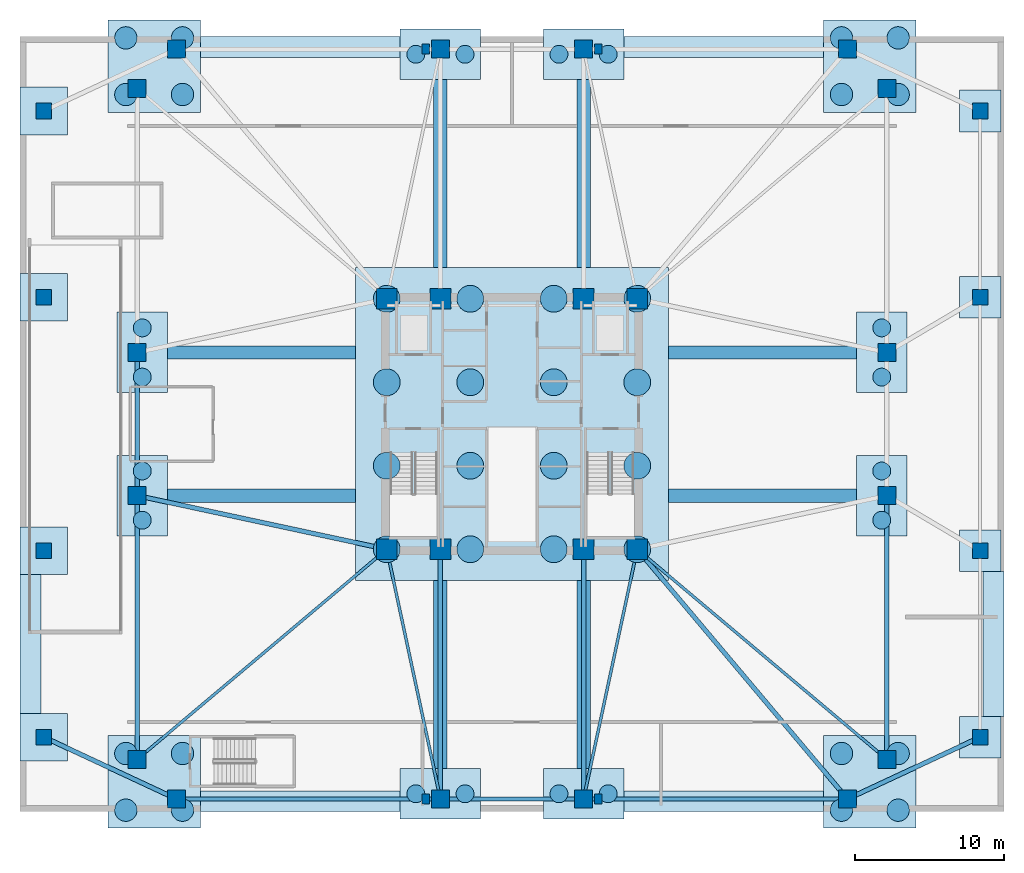
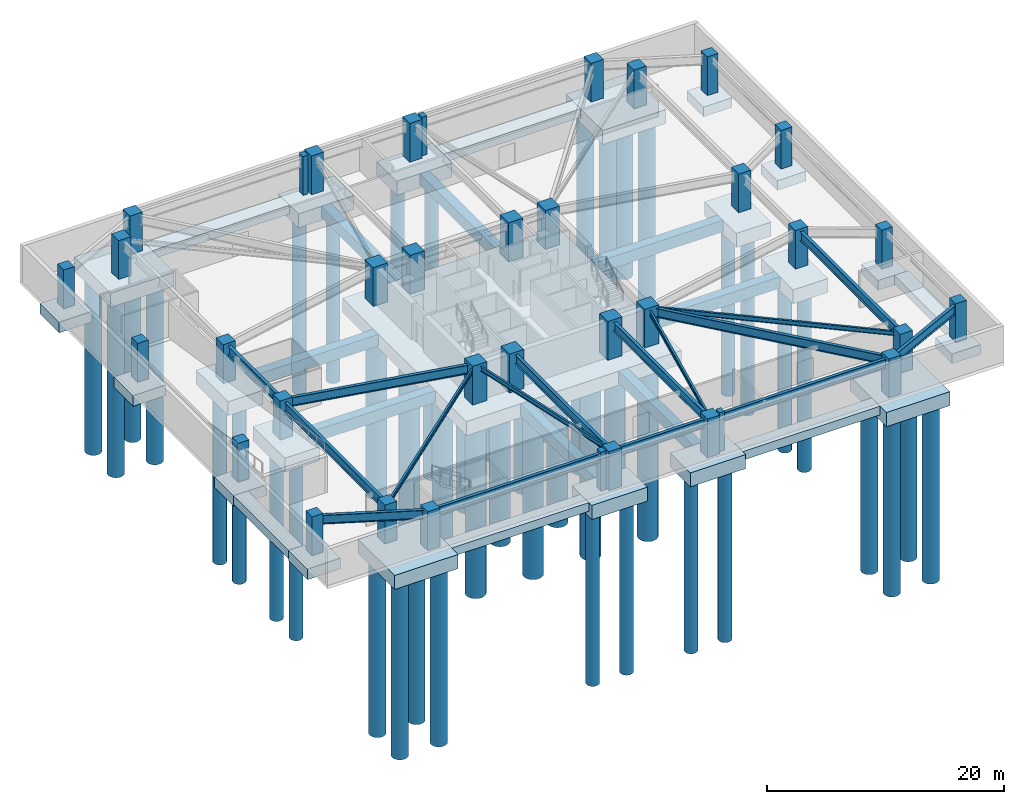
# One storey, part 1 of 10: 48 piles, 36 columns, 35 footings, 16 beams.
"""IFC4 building model written with IfcOpenShell, lengths in metres."""

from ifc_helpers import new_model, si_unit, direction, frame, origin, origin_2d, place, context, subcontext, project, spatial, rectangle, circle, i_section, extrude, material, layer, layer_set, material_profile, profile_set, type_object, element, save


model = new_model("IFC4")

# Units and contexts
model_context = context("Model", 3, precision=1e-05, world=origin(), true_north=direction((0.0, 1.0)))
body_context = subcontext(model_context, "Body", "Model", "MODEL_VIEW")
ifc_project = project(units=[si_unit("LENGTHUNIT", "METRE"), si_unit("AREAUNIT", "SQUARE_METRE"), si_unit("VOLUMEUNIT", "CUBIC_METRE"), si_unit("PLANEANGLEUNIT", "RADIAN"), si_unit("MASSUNIT", "GRAM", prefix="KILO")], contexts=[model_context])

# Site, building, storey
site_placement = place(None, origin())
site = spatial("IfcSite", under=ifc_project, at=site_placement, CompositionType="ELEMENT")
building_placement = place(site_placement, origin())
building = spatial("IfcBuilding", under=site, at=building_placement, Name="Cairnveth Concourse Tower", CompositionType="ELEMENT")
storey_placement = place(building_placement, frame((0.0, 0.0, -8.0)))
storey = spatial("IfcBuildingStorey", under=building, at=storey_placement, Name="B02", CompositionType="ELEMENT", Elevation=-8.0)

# Piles
ifc_material_1 = material(Name="Concrete N50 (50 MPa)", Category="concrete")
ifc_material_profile_1 = material_profile(ifc_material_1, circle(Radius=0.60009765625, at=origin_2d()), Name="PILE-1200")
ifc_profile_set_1 = profile_set([ifc_material_profile_1], Name="Concrete N50 (50 MPa)")
pile_type_1 = type_object("IfcPileType", Name="BORED PILE 1200", PredefinedType="BORED", material=ifc_profile_set_1)
for number, where, z_axis, x_axis, name in (
    (1, (45.550048828125, 14.199951171875, -1.64990234375), (0.0, 0.0, -1.0), (1.0, 0.0, 0.0), "Flank Bored Pile S1-1"),
    (2, (48.85009765625, 14.199951171875, -1.64990234375), (0.0, 0.0, -1.0), (1.0, 0.0, 0.0), "Flank Bored Pile S1-2"),
    (3, (55.14990234375, 14.199951171875, -1.64990234375), (0.0, 0.0, -1.0), (1.0, 0.0, 0.0), "Flank Bored Pile S2-1"),
    (4, (58.449951171875, 14.199951171875, -1.64990234375), (0.0, 0.0, -1.0), (1.0, 0.0, 0.0), "Flank Bored Pile S2-2"),
    (5, (45.550048828125, 63.800048828125, -1.64990234375), (0.0, 0.0, -1.0), (1.0, 0.0, 0.0), "Flank Bored Pile N1-1"),
    (6, (48.85009765625, 63.800048828125, -1.64990234375), (0.0, 0.0, -1.0), (1.0, 0.0, 0.0), "Flank Bored Pile N1-2"),
    (7, (55.14990234375, 63.800048828125, -1.64990234375), (0.0, 0.0, -1.0), (1.0, 0.0, 0.0), "Flank Bored Pile N2-1"),
    (8, (58.449951171875, 63.800048828125, -1.64990234375), (0.0, 0.0, -1.0), (1.0, 0.0, 0.0), "Flank Bored Pile N2-2"),
    (9, (27.199951171875, 32.550048828125, -1.64990234375), (0.0, 0.0, -1.0), (1.0, 0.0, 0.0), "Flank Bored Pile W1-1"),
    (10, (27.199951171875, 35.85009765625, -1.64990234375), (0.0, 0.0, -1.0), (1.0, 0.0, 0.0), "Flank Bored Pile W1-2"),
    (11, (27.199951171875, 42.14990234375, -1.64990234375), (0.0, 0.0, -1.0), (1.0, 0.0, 0.0), "Flank Bored Pile W2-1"),
    (12, (27.199951171875, 45.449951171875, -1.64990234375), (0.0, 0.0, -1.0), (1.0, 0.0, 0.0), "Flank Bored Pile W2-2"),
    (13, (76.800048828125, 32.550048828125, -1.64990234375), (0.0, 0.0, -1.0), (1.0, 0.0, 0.0), "Flank Bored Pile E1-1"),
    (14, (76.800048828125, 35.85009765625, -1.64990234375), (0.0, 0.0, -1.0), (1.0, 0.0, 0.0), "Flank Bored Pile E1-2"),
    (15, (76.800048828125, 42.14990234375, -1.64990234375), (0.0, 0.0, -1.0), (1.0, 0.0, 0.0), "Flank Bored Pile E2-1"),
    (16, (76.800048828125, 45.449951171875, -1.64990234375), (0.0, 0.0, -1.0), (1.0, 0.0, 0.0), "Flank Bored Pile E2-2"),
):
    element("IfcPile", number, at=place(storey_placement, frame(where, z_axis=z_axis, x_axis=x_axis)), inside=storey, type_object=pile_type_1, Name=name, PredefinedType="BORED", context=body_context, shape_type="SweptSolid", body=[
        extrude(circle(Radius=0.60009765625, at=origin_2d()), origin(), (0.0, 0.0, 1.0), 18.35009765625),
    ])
ifc_material_2 = material(Name="Concrete N65 (65 MPa)", Category="concrete")
ifc_material_profile_2 = material_profile(ifc_material_2, circle(Radius=0.75, at=origin_2d()), Name="PILE-1500")
ifc_profile_set_2 = profile_set([ifc_material_profile_2], Name="Concrete N65 (65 MPa)")
pile_type_2 = type_object("IfcPileType", Name="BORED PILE 1500", PredefinedType="BORED", material=ifc_profile_set_2)
for number, where, z_axis, x_axis, name in (
    (17, (26.10009765625, 13.10009765625, -1.64990234375), (0.0, 0.0, -1.0), (1.0, 0.0, 0.0), "Corner Bored Pile SW-1"),
    (18, (29.89990234375, 13.10009765625, -1.64990234375), (0.0, 0.0, -1.0), (1.0, 0.0, 0.0), "Corner Bored Pile SW-2"),
    (19, (29.89990234375, 16.89990234375, -1.64990234375), (0.0, 0.0, -1.0), (1.0, 0.0, 0.0), "Corner Bored Pile SW-3"),
    (20, (26.10009765625, 16.89990234375, -1.64990234375), (0.0, 0.0, -1.0), (1.0, 0.0, 0.0), "Corner Bored Pile SW-4"),
    (21, (74.10009765625, 13.10009765625, -1.64990234375), (0.0, 0.0, -1.0), (1.0, 0.0, 0.0), "Corner Bored Pile SE-1"),
    (22, (77.89990234375, 13.10009765625, -1.64990234375), (0.0, 0.0, -1.0), (1.0, 0.0, 0.0), "Corner Bored Pile SE-2"),
    (23, (77.89990234375, 16.89990234375, -1.64990234375), (0.0, 0.0, -1.0), (1.0, 0.0, 0.0), "Corner Bored Pile SE-3"),
    (24, (74.10009765625, 16.89990234375, -1.64990234375), (0.0, 0.0, -1.0), (1.0, 0.0, 0.0), "Corner Bored Pile SE-4"),
    (25, (74.10009765625, 61.10009765625, -1.64990234375), (0.0, 0.0, -1.0), (1.0, 0.0, 0.0), "Corner Bored Pile NE-1"),
    (26, (77.89990234375, 61.10009765625, -1.64990234375), (0.0, 0.0, -1.0), (1.0, 0.0, 0.0), "Corner Bored Pile NE-2"),
    (27, (77.89990234375, 64.89990234375, -1.64990234375), (0.0, 0.0, -1.0), (1.0, 0.0, 0.0), "Corner Bored Pile NE-3"),
    (28, (74.10009765625, 64.89990234375, -1.64990234375), (0.0, 0.0, -1.0), (1.0, 0.0, 0.0), "Corner Bored Pile NE-4"),
    (29, (26.10009765625, 61.10009765625, -1.64990234375), (0.0, 0.0, -1.0), (1.0, 0.0, 0.0), "Corner Bored Pile NW-1"),
    (30, (29.89990234375, 61.10009765625, -1.64990234375), (0.0, 0.0, -1.0), (1.0, 0.0, 0.0), "Corner Bored Pile NW-2"),
    (31, (29.89990234375, 64.89990234375, -1.64990234375), (0.0, 0.0, -1.0), (1.0, 0.0, 0.0), "Corner Bored Pile NW-3"),
    (32, (26.10009765625, 64.89990234375, -1.64990234375), (0.0, 0.0, -1.0), (1.0, 0.0, 0.0), "Corner Bored Pile NW-4"),
):
    element("IfcPile", number, at=place(storey_placement, frame(where, z_axis=z_axis, x_axis=x_axis)), inside=storey, type_object=pile_type_2, Name=name, PredefinedType="BORED", context=body_context, shape_type="SweptSolid", body=[
        extrude(circle(Radius=0.75, at=origin_2d()), origin(), (0.0, 0.0, 1.0), 18.35009765625),
    ])
ifc_material_profile_3 = material_profile(ifc_material_2, circle(Radius=0.89990234375, at=origin_2d()), Name="PILE-1800")
ifc_profile_set_3 = profile_set([ifc_material_profile_3], Name="Concrete N65 (65 MPa)")
pile_type_3 = type_object("IfcPileType", Name="BORED PILE 1800", PredefinedType="BORED", material=ifc_profile_set_3)
for number, where, z_axis, x_axis, name in (
    (33, (43.60009765625, 30.60009765625, -1.64990234375), (0.0, 0.0, -1.0), (1.0, 0.0, 0.0), "Core Bored Pile 01"),
    (34, (43.60009765625, 36.199951171875, -1.64990234375), (0.0, 0.0, -1.0), (1.0, 0.0, 0.0), "Core Bored Pile 02"),
    (35, (43.60009765625, 41.800048828125, -1.64990234375), (0.0, 0.0, -1.0), (1.0, 0.0, 0.0), "Core Bored Pile 03"),
    (36, (43.60009765625, 47.39990234375, -1.64990234375), (0.0, 0.0, -1.0), (1.0, 0.0, 0.0), "Core Bored Pile 04"),
    (37, (49.199951171875, 30.60009765625, -1.64990234375), (0.0, 0.0, -1.0), (1.0, 0.0, 0.0), "Core Bored Pile 05"),
    (38, (49.199951171875, 36.199951171875, -1.64990234375), (0.0, 0.0, -1.0), (1.0, 0.0, 0.0), "Core Bored Pile 06"),
    (39, (49.199951171875, 41.800048828125, -1.64990234375), (0.0, 0.0, -1.0), (1.0, 0.0, 0.0), "Core Bored Pile 07"),
    (40, (49.199951171875, 47.39990234375, -1.64990234375), (0.0, 0.0, -1.0), (1.0, 0.0, 0.0), "Core Bored Pile 08"),
    (41, (54.800048828125, 30.60009765625, -1.64990234375), (0.0, 0.0, -1.0), (1.0, 0.0, 0.0), "Core Bored Pile 09"),
    (42, (54.800048828125, 36.199951171875, -1.64990234375), (0.0, 0.0, -1.0), (1.0, 0.0, 0.0), "Core Bored Pile 10"),
    (43, (54.800048828125, 41.800048828125, -1.64990234375), (0.0, 0.0, -1.0), (1.0, 0.0, 0.0), "Core Bored Pile 11"),
    (44, (54.800048828125, 47.39990234375, -1.64990234375), (0.0, 0.0, -1.0), (1.0, 0.0, 0.0), "Core Bored Pile 12"),
    (45, (60.39990234375, 30.60009765625, -1.64990234375), (0.0, 0.0, -1.0), (1.0, 0.0, 0.0), "Core Bored Pile 13"),
    (46, (60.39990234375, 36.199951171875, -1.64990234375), (0.0, 0.0, -1.0), (1.0, 0.0, 0.0), "Core Bored Pile 14"),
    (47, (60.39990234375, 41.800048828125, -1.64990234375), (0.0, 0.0, -1.0), (1.0, 0.0, 0.0), "Core Bored Pile 15"),
    (48, (60.39990234375, 47.39990234375, -1.64990234375), (0.0, 0.0, -1.0), (1.0, 0.0, 0.0), "Core Bored Pile 16"),
):
    element("IfcPile", number, at=place(storey_placement, frame(where, z_axis=z_axis, x_axis=x_axis)), inside=storey, type_object=pile_type_3, Name=name, PredefinedType="BORED", context=body_context, shape_type="SweptSolid", body=[
        extrude(circle(Radius=0.89990234375, at=origin_2d()), origin(), (0.0, 0.0, 1.0), 18.35009765625),
    ])

# Footings
ifc_layer_1 = layer(ifc_material_2, 1.449951171875)
ifc_layer_set_1 = layer_set([ifc_layer_1], Name="Concrete N65 (65 MPa)")
footing_type_1 = type_object("IfcFootingType", Name="CORE PILED RAFT 21000X21000X1450", PredefinedType="PILE_CAP", material=ifc_layer_set_1)
footing_1_placement = place(storey_placement, frame((52.0, 39.0, -1.7998046875), z_axis=(0.0, 0.0, 1.0), x_axis=(1.0, 0.0, 0.0)))
element("IfcFooting", 49, at=footing_1_placement, inside=storey, type_object=footing_type_1, Name="Core Piled Raft PR1", PredefinedType="PILE_CAP", context=body_context, shape_type="SweptSolid", body=[
    extrude(rectangle(XDim=21.0, YDim=21.0, at=origin_2d()), origin(), (0.0, 0.0, 1.0), 1.449951171875),
])
ifc_layer_2 = layer(ifc_material_2, 1.449951171875)
ifc_layer_set_2 = layer_set([ifc_layer_2], Name="Concrete N65 (65 MPa)")
footing_type_2 = type_object("IfcFootingType", Name="CORNER PILE CAP 3400X5400X1450", PredefinedType="PILE_CAP", material=ifc_layer_set_2)
for number, where, z_axis, x_axis, name in (
    (50, (27.199951171875, 34.199951171875, -1.7998046875), (0.0, 0.0, 1.0), (1.0, 0.0, 0.0), "Flank Pile Cap PC3-W1"),
    (51, (27.199951171875, 43.800048828125, -1.7998046875), (0.0, 0.0, 1.0), (1.0, 0.0, 0.0), "Flank Pile Cap PC3-W2"),
    (52, (76.800048828125, 34.199951171875, -1.7998046875), (0.0, 0.0, 1.0), (1.0, 0.0, 0.0), "Flank Pile Cap PC3-E1"),
    (53, (76.800048828125, 43.800048828125, -1.7998046875), (0.0, 0.0, 1.0), (1.0, 0.0, 0.0), "Flank Pile Cap PC3-E2"),
):
    element("IfcFooting", number, at=place(storey_placement, frame(where, z_axis=z_axis, x_axis=x_axis)), inside=storey, type_object=footing_type_2, Name=name, PredefinedType="PILE_CAP", context=body_context, shape_type="SweptSolid", body=[
        extrude(rectangle(XDim=3.39990234375, YDim=5.39990234375, at=origin_2d()), origin(), (0.0, 0.0, 1.0), 1.449951171875),
    ])
ifc_layer_3 = layer(ifc_material_2, 1.449951171875)
ifc_layer_set_3 = layer_set([ifc_layer_3], Name="Concrete N65 (65 MPa)")
footing_type_3 = type_object("IfcFootingType", Name="FLANK PILE CAP 5400X3400X1450", PredefinedType="PILE_CAP", material=ifc_layer_set_3)
for number, where, z_axis, x_axis, name in (
    (54, (47.199951171875, 14.199951171875, -1.7998046875), (0.0, 0.0, 1.0), (1.0, 0.0, 0.0), "Flank Pile Cap PC2-S1"),
    (55, (56.800048828125, 14.199951171875, -1.7998046875), (0.0, 0.0, 1.0), (1.0, 0.0, 0.0), "Flank Pile Cap PC2-S2"),
    (56, (47.199951171875, 63.800048828125, -1.7998046875), (0.0, 0.0, 1.0), (1.0, 0.0, 0.0), "Flank Pile Cap PC2-N1"),
    (57, (56.800048828125, 63.800048828125, -1.7998046875), (0.0, 0.0, 1.0), (1.0, 0.0, 0.0), "Flank Pile Cap PC2-N2"),
):
    element("IfcFooting", number, at=place(storey_placement, frame(where, z_axis=z_axis, x_axis=x_axis)), inside=storey, type_object=footing_type_3, Name=name, PredefinedType="PILE_CAP", context=body_context, shape_type="SweptSolid", body=[
        extrude(rectangle(XDim=5.39990234375, YDim=3.39990234375, at=origin_2d()), origin(), (0.0, 0.0, 1.0), 1.449951171875),
    ])
ifc_material_profile_4 = material_profile(ifc_material_1, rectangle(XDim=0.89990234375, YDim=1.199951171875, at=origin_2d()), Name="RC-GB-900x1200")
ifc_profile_set_4 = profile_set([ifc_material_profile_4], Name="Concrete N50 (50 MPa)")
footing_type_4 = type_object("IfcFootingType", Name="GROUND TIE BEAM 900X1200", PredefinedType="FOOTING_BEAM", material=ifc_profile_set_4)
for number, where, z_axis, x_axis, name in (
    (58, (47.199951171875, 15.89990234375, -0.949951171875), (0.0, 1.0, 0.0), (-1.0, 0.0, 0.0), "Ground Tie Beam GB-S1"),
    (59, (56.800048828125, 15.89990234375, -0.949951171875), (0.0, 1.0, 0.0), (-1.0, 0.0, 0.0), "Ground Tie Beam GB-S2"),
    (60, (47.199951171875, 49.5, -0.949951171875), (0.0, 1.0, 0.0), (-1.0, 0.0, 0.0), "Ground Tie Beam GB-N1"),
    (61, (56.800048828125, 49.5, -0.949951171875), (0.0, 1.0, 0.0), (-1.0, 0.0, 0.0), "Ground Tie Beam GB-N2"),
    (62, (28.89990234375, 34.199951171875, -0.949951171875), (1.0, 0.0, 0.0), (0.0, 1.0, 0.0), "Ground Tie Beam GB-W1"),
    (63, (28.89990234375, 43.800048828125, -0.949951171875), (1.0, 0.0, 0.0), (0.0, 1.0, 0.0), "Ground Tie Beam GB-W2"),
    (64, (62.5, 34.199951171875, -0.949951171875), (1.0, 0.0, 0.0), (0.0, 1.0, 0.0), "Ground Tie Beam GB-E1"),
    (65, (62.5, 43.800048828125, -0.949951171875), (1.0, 0.0, 0.0), (0.0, 1.0, 0.0), "Ground Tie Beam GB-E2"),
):
    element("IfcFooting", number, at=place(storey_placement, frame(where, z_axis=z_axis, x_axis=x_axis)), inside=storey, type_object=footing_type_4, Name=name, PredefinedType="FOOTING_BEAM", context=body_context, shape_type="SweptSolid", body=[
        extrude(rectangle(XDim=0.89990234375, YDim=1.199951171875, at=origin_2d()), origin(), (0.0, 0.0, 1.0), 12.60009765625),
    ])
ifc_layer_4 = layer(ifc_material_2, 1.449951171875)
ifc_layer_set_4 = layer_set([ifc_layer_4], Name="Concrete N65 (65 MPa)")
footing_type_5 = type_object("IfcFootingType", Name="PERIMETER PILE CAP 6200X6200X1450", PredefinedType="PILE_CAP", material=ifc_layer_set_4)
for number, where, z_axis, x_axis, name in (
    (66, (28.0, 15.0, -1.7998046875), (0.0, 0.0, 1.0), (1.0, 0.0, 0.0), "Corner Pile Cap PC1-SW"),
    (67, (76.0, 15.0, -1.7998046875), (0.0, 0.0, 1.0), (1.0, 0.0, 0.0), "Corner Pile Cap PC1-SE"),
    (68, (76.0, 63.0, -1.7998046875), (0.0, 0.0, 1.0), (1.0, 0.0, 0.0), "Corner Pile Cap PC1-NE"),
    (69, (28.0, 63.0, -1.7998046875), (0.0, 0.0, 1.0), (1.0, 0.0, 0.0), "Corner Pile Cap PC1-NW"),
):
    element("IfcFooting", number, at=place(storey_placement, frame(where, z_axis=z_axis, x_axis=x_axis)), inside=storey, type_object=footing_type_5, Name=name, PredefinedType="PILE_CAP", context=body_context, shape_type="SweptSolid", body=[
        extrude(rectangle(XDim=6.199951171875, YDim=6.199951171875, at=origin_2d()), origin(), (0.0, 0.0, 1.0), 1.449951171875),
    ])
ifc_layer_5 = layer(ifc_material_1, 1.0)
ifc_layer_set_5 = layer_set([ifc_layer_5], Name="Concrete N50 (50 MPa)")
footing_type_6 = type_object("IfcFootingType", Name="PODIUM PAD FOOTING 2800X2800X1000", PredefinedType="PAD_FOOTING", material=ifc_layer_set_5)
for number, where, z_axis, x_axis, name in (
    (70, (83.39990234375, 18.0, -1.35009765625), (0.0, 0.0, 1.0), (1.0, 0.0, 0.0), "Podium Pad Footing PF2-E1"),
    (71, (83.39990234375, 30.5, -1.35009765625), (0.0, 0.0, 1.0), (1.0, 0.0, 0.0), "Podium Pad Footing PF2-E2"),
    (72, (83.39990234375, 47.5, -1.35009765625), (0.0, 0.0, 1.0), (1.0, 0.0, 0.0), "Podium Pad Footing PF2-E3"),
    (73, (83.39990234375, 60.0, -1.35009765625), (0.0, 0.0, 1.0), (1.0, 0.0, 0.0), "Podium Pad Footing PF2-E4"),
):
    element("IfcFooting", number, at=place(storey_placement, frame(where, z_axis=z_axis, x_axis=x_axis)), inside=storey, type_object=footing_type_6, Name=name, PredefinedType="PAD_FOOTING", context=body_context, shape_type="SweptSolid", body=[
        extrude(rectangle(XDim=2.800048828125, YDim=2.800048828125, at=origin_2d()), origin(), (0.0, 0.0, 1.0), 1.0),
    ])
ifc_layer_6 = layer(ifc_material_1, 1.10009765625)
ifc_layer_set_6 = layer_set([ifc_layer_6], Name="Concrete N50 (50 MPa)")
footing_type_7 = type_object("IfcFootingType", Name="PODIUM PAD FOOTING 3200X3200X1100", PredefinedType="PAD_FOOTING", material=ifc_layer_set_6)
for number, where, z_axis, x_axis, name in (
    (74, (20.60009765625, 18.0, -1.449951171875), (0.0, 0.0, 1.0), (1.0, 0.0, 0.0), "Podium Pad Footing PF1-W1"),
    (75, (20.60009765625, 30.5, -1.449951171875), (0.0, 0.0, 1.0), (1.0, 0.0, 0.0), "Podium Pad Footing PF1-W2"),
    (76, (20.60009765625, 47.5, -1.449951171875), (0.0, 0.0, 1.0), (1.0, 0.0, 0.0), "Podium Pad Footing PF1-W3"),
    (77, (20.60009765625, 60.0, -1.449951171875), (0.0, 0.0, 1.0), (1.0, 0.0, 0.0), "Podium Pad Footing PF1-W4"),
):
    element("IfcFooting", number, at=place(storey_placement, frame(where, z_axis=z_axis, x_axis=x_axis)), inside=storey, type_object=footing_type_7, Name=name, PredefinedType="PAD_FOOTING", context=body_context, shape_type="SweptSolid", body=[
        extrude(rectangle(XDim=3.199951171875, YDim=3.199951171875, at=origin_2d()), origin(), (0.0, 0.0, 1.0), 1.10009765625),
    ])
ifc_material_profile_5 = material_profile(ifc_material_1, rectangle(XDim=1.39990234375, YDim=0.89990234375, at=origin_2d()), Name="SF-1400x900")
ifc_profile_set_5 = profile_set([ifc_material_profile_5], Name="Concrete N50 (50 MPa)")
footing_type_8 = type_object("IfcFootingType", Name="RETAINING STRIP FOOTING 1400X900", PredefinedType="STRIP_FOOTING", material=ifc_profile_set_5)
for number, where, z_axis, x_axis, name in (
    (78, (31.10009765625, 13.699951171875, -0.800048828125), (1.0, 0.0, 0.0), (0.0, 1.0, 0.0), "Retaining Strip Footing SF-S1"),
    (79, (59.5, 13.699951171875, -0.800048828125), (1.0, 0.0, 0.0), (0.0, 1.0, 0.0), "Retaining Strip Footing SF-S2"),
    (80, (31.10009765625, 64.300048828125, -0.800048828125), (1.0, 0.0, 0.0), (0.0, 1.0, 0.0), "Retaining Strip Footing SF-N1"),
    (81, (59.5, 64.300048828125, -0.800048828125), (1.0, 0.0, 0.0), (0.0, 1.0, 0.0), "Retaining Strip Footing SF-N2"),
):
    element("IfcFooting", number, at=place(storey_placement, frame(where, z_axis=z_axis, x_axis=x_axis)), inside=storey, type_object=footing_type_8, Name=name, PredefinedType="STRIP_FOOTING", context=body_context, shape_type="SweptSolid", body=[
        extrude(rectangle(XDim=1.39990234375, YDim=0.89990234375, at=origin_2d()), origin(), (0.0, 0.0, 1.0), 13.39990234375),
    ])
footing_2_placement = place(storey_placement, frame((19.699951171875, 19.60009765625, -0.800048828125), z_axis=(0.0, 1.0, 0.0), x_axis=(-1.0, 0.0, 0.0)))
element("IfcFooting", 82, at=footing_2_placement, inside=storey, type_object=footing_type_8, Name="Retaining Strip Footing SF-W1", PredefinedType="STRIP_FOOTING", context=body_context, shape_type="SweptSolid", body=[
    extrude(rectangle(XDim=1.39990234375, YDim=0.89990234375, at=origin_2d()), origin(), (0.0, 0.0, 1.0), 9.2998046875),
])
footing_3_placement = place(storey_placement, frame((84.300048828125, 19.39990234375, -0.800048828125), z_axis=(0.0, 1.0, 0.0), x_axis=(-1.0, 0.0, 0.0)))
element("IfcFooting", 83, at=footing_3_placement, inside=storey, type_object=footing_type_8, Name="Retaining Strip Footing SF-E1", PredefinedType="STRIP_FOOTING", context=body_context, shape_type="SweptSolid", body=[
    extrude(rectangle(XDim=1.39990234375, YDim=0.89990234375, at=origin_2d()), origin(), (0.0, 0.0, 1.0), 9.7001953125),
])

# Columns
ifc_material_3 = material(Name="Concrete N80 (80 MPa)", Category="concrete")
ifc_material_profile_6 = material_profile(ifc_material_3, rectangle(XDim=1.39990234375, YDim=1.39990234375, at=origin_2d()), Name="RC-COL-1400x1400")
ifc_profile_set_6 = profile_set([ifc_material_profile_6], Name="Concrete N80 (80 MPa)")
column_type_1 = type_object("IfcColumnType", Name="CORE COLUMN 1400X1400", PredefinedType="COLUMN", material=ifc_profile_set_6)
for number, where, z_axis, x_axis, name in (
    (84, (43.60009765625, 30.60009765625, 0.0), (0.0, 0.0, 1.0), (1.0, 0.0, 0.0), "Column CC1 B02"),
    (85, (47.199951171875, 30.60009765625, 0.0), (0.0, 0.0, 1.0), (1.0, 0.0, 0.0), "Column CC2 B02"),
    (86, (56.800048828125, 30.60009765625, 0.0), (0.0, 0.0, 1.0), (1.0, 0.0, 0.0), "Column CC3 B02"),
    (87, (60.39990234375, 30.60009765625, 0.0), (0.0, 0.0, 1.0), (1.0, 0.0, 0.0), "Column CC4 B02"),
    (88, (43.60009765625, 47.39990234375, 0.0), (0.0, 0.0, 1.0), (1.0, 0.0, 0.0), "Column CC5 B02"),
    (89, (47.199951171875, 47.39990234375, 0.0), (0.0, 0.0, 1.0), (1.0, 0.0, 0.0), "Column CC6 B02"),
    (90, (56.800048828125, 47.39990234375, 0.0), (0.0, 0.0, 1.0), (1.0, 0.0, 0.0), "Column CC7 B02"),
    (91, (60.39990234375, 47.39990234375, 0.0), (0.0, 0.0, 1.0), (1.0, 0.0, 0.0), "Column CC8 B02"),
):
    element("IfcColumn", number, at=place(storey_placement, frame(where, z_axis=z_axis, x_axis=x_axis)), inside=storey, type_object=column_type_1, Name=name, PredefinedType="COLUMN", context=body_context, shape_type="SweptSolid", body=[
        extrude(rectangle(XDim=1.39990234375, YDim=1.39990234375, at=origin_2d()), origin(), (0.0, 0.0, 1.0), 4.0),
    ])
ifc_material_profile_7 = material_profile(ifc_material_2, rectangle(XDim=0.5, YDim=0.64990234375, at=origin_2d()), Name="RC-PIL-650x500")
ifc_profile_set_7 = profile_set([ifc_material_profile_7], Name="Concrete N65 (65 MPa)")
column_type_2 = type_object("IfcColumnType", Name="CORNER PIER PILASTER 650X500", PredefinedType="PILASTER", material=ifc_profile_set_7)
for number, where, z_axis, x_axis, name in (
    (92, (46.199951171875, 13.85009765625, 0.0), (0.0, 0.0, 1.0), (1.0, 0.0, 0.0), "Column PIL-G1 B02"),
    (93, (57.800048828125, 13.85009765625, 0.0), (0.0, 0.0, 1.0), (1.0, 0.0, 0.0), "Column PIL-G2 B02"),
    (94, (46.199951171875, 64.14990234375, 0.0), (0.0, 0.0, 1.0), (1.0, 0.0, 0.0), "Column PIL-G3 B02"),
    (95, (57.800048828125, 64.14990234375, 0.0), (0.0, 0.0, 1.0), (1.0, 0.0, 0.0), "Column PIL-G4 B02"),
):
    element("IfcColumn", number, at=place(storey_placement, frame(where, z_axis=z_axis, x_axis=x_axis)), inside=storey, type_object=column_type_2, Name=name, PredefinedType="PILASTER", context=body_context, shape_type="SweptSolid", body=[
        extrude(rectangle(XDim=0.5, YDim=0.64990234375, at=origin_2d()), origin(), (0.0, 0.0, 1.0), 4.0),
    ])
ifc_material_profile_8 = material_profile(ifc_material_3, rectangle(XDim=1.199951171875, YDim=1.199951171875, at=origin_2d()), Name="RC-COL-1200x1200")
ifc_profile_set_8 = profile_set([ifc_material_profile_8], Name="Concrete N80 (80 MPa)")
column_type_3 = type_object("IfcColumnType", Name="PERIMETER PIER COLUMN 1200X1200", PredefinedType="COLUMN", material=ifc_profile_set_8)
for number, where, z_axis, x_axis, name in (
    (96, (29.5, 13.85009765625, 0.0), (0.0, 0.0, 1.0), (1.0, 0.0, 0.0), "Column Z1-S1 B02"),
    (97, (47.199951171875, 13.85009765625, 0.0), (0.0, 0.0, 1.0), (1.0, 0.0, 0.0), "Column Z1-S2 B02"),
    (98, (56.800048828125, 13.85009765625, 0.0), (0.0, 0.0, 1.0), (1.0, 0.0, 0.0), "Column Z1-S3 B02"),
    (99, (74.5, 13.85009765625, 0.0), (0.0, 0.0, 1.0), (1.0, 0.0, 0.0), "Column Z1-S4 B02"),
    (100, (77.14990234375, 16.5, 0.0), (0.0, 0.0, 1.0), (1.0, 0.0, 0.0), "Column Z1-E1 B02"),
    (101, (77.14990234375, 34.199951171875, 0.0), (0.0, 0.0, 1.0), (1.0, 0.0, 0.0), "Column Z1-E2 B02"),
    (102, (77.14990234375, 43.800048828125, 0.0), (0.0, 0.0, 1.0), (1.0, 0.0, 0.0), "Column Z1-E3 B02"),
    (103, (77.14990234375, 61.5, 0.0), (0.0, 0.0, 1.0), (1.0, 0.0, 0.0), "Column Z1-E4 B02"),
    (104, (74.5, 64.14990234375, 0.0), (0.0, 0.0, 1.0), (1.0, 0.0, 0.0), "Column Z1-N1 B02"),
    (105, (56.800048828125, 64.14990234375, 0.0), (0.0, 0.0, 1.0), (1.0, 0.0, 0.0), "Column Z1-N2 B02"),
    (106, (47.199951171875, 64.14990234375, 0.0), (0.0, 0.0, 1.0), (1.0, 0.0, 0.0), "Column Z1-N3 B02"),
    (107, (29.5, 64.14990234375, 0.0), (0.0, 0.0, 1.0), (1.0, 0.0, 0.0), "Column Z1-N4 B02"),
    (108, (26.85009765625, 61.5, 0.0), (0.0, 0.0, 1.0), (1.0, 0.0, 0.0), "Column Z1-W1 B02"),
    (109, (26.85009765625, 43.800048828125, 0.0), (0.0, 0.0, 1.0), (1.0, 0.0, 0.0), "Column Z1-W2 B02"),
    (110, (26.85009765625, 34.199951171875, 0.0), (0.0, 0.0, 1.0), (1.0, 0.0, 0.0), "Column Z1-W3 B02"),
    (111, (26.85009765625, 16.5, 0.0), (0.0, 0.0, 1.0), (1.0, 0.0, 0.0), "Column Z1-W4 B02"),
):
    element("IfcColumn", number, at=place(storey_placement, frame(where, z_axis=z_axis, x_axis=x_axis)), inside=storey, type_object=column_type_3, Name=name, PredefinedType="COLUMN", context=body_context, shape_type="SweptSolid", body=[
        extrude(rectangle(XDim=1.199951171875, YDim=1.199951171875, at=origin_2d()), origin(), (0.0, 0.0, 1.0), 4.0),
    ])
ifc_material_profile_9 = material_profile(ifc_material_2, rectangle(XDim=1.050048828125, YDim=1.050048828125, at=origin_2d()), Name="RC-COL-1050x1050")
ifc_profile_set_9 = profile_set([ifc_material_profile_9], Name="Concrete N65 (65 MPa)")
column_type_4 = type_object("IfcColumnType", Name="PODIUM CONCOURSE COLUMN 1050X1050", PredefinedType="COLUMN", material=ifc_profile_set_9)
for number, where, z_axis, x_axis, name in (
    (112, (20.60009765625, 18.0, 0.0), (0.0, 0.0, 1.0), (1.0, 0.0, 0.0), "Column PC-W1 B02"),
    (113, (20.60009765625, 30.5, 0.0), (0.0, 0.0, 1.0), (1.0, 0.0, 0.0), "Column PC-W2 B02"),
    (114, (20.60009765625, 47.5, 0.0), (0.0, 0.0, 1.0), (1.0, 0.0, 0.0), "Column PC-W3 B02"),
    (115, (20.60009765625, 60.0, 0.0), (0.0, 0.0, 1.0), (1.0, 0.0, 0.0), "Column PC-W4 B02"),
    (116, (83.39990234375, 18.0, 0.0), (0.0, 0.0, 1.0), (1.0, 0.0, 0.0), "Column PC-E1 B02"),
    (117, (83.39990234375, 30.5, 0.0), (0.0, 0.0, 1.0), (1.0, 0.0, 0.0), "Column PC-E2 B02"),
    (118, (83.39990234375, 47.5, 0.0), (0.0, 0.0, 1.0), (1.0, 0.0, 0.0), "Column PC-E3 B02"),
    (119, (83.39990234375, 60.0, 0.0), (0.0, 0.0, 1.0), (1.0, 0.0, 0.0), "Column PC-E4 B02"),
):
    element("IfcColumn", number, at=place(storey_placement, frame(where, z_axis=z_axis, x_axis=x_axis)), inside=storey, type_object=column_type_4, Name=name, PredefinedType="COLUMN", context=body_context, shape_type="SweptSolid", body=[
        extrude(rectangle(XDim=1.050048828125, YDim=1.050048828125, at=origin_2d()), origin(), (0.0, 0.0, 1.0), 4.0),
    ])

# Beams
ifc_material_4 = material(Name="Steel Grade 350", Category="steel")
ifc_material_profile_10 = material_profile(ifc_material_4, i_section(OverallWidth=0.18994140625, OverallDepth=0.45703125, WebThickness=0.009033203125, FlangeThickness=0.014404296875, FilletRadius=0.010986328125, at=origin_2d()), Name="460UB74.6")
ifc_profile_set_10 = profile_set([ifc_material_profile_10], Name="Steel Grade 350")
beam_type_1 = type_object("IfcBeamType", Name="PODIUM FLOOR JOIST 460UB74.6", PredefinedType="JOIST", material=ifc_profile_set_10)
for number, where, z_axis, x_axis, name in (
    (120, (26.85009765625, 16.5, 3.491455078125), (0.765027427674, 0.643997697905, 0.0), (-0.643997697905, 0.765027427674, 0.0), "Beam PJ-SW1 B02"),
    (121, (77.14990234375, 16.5, 3.491455078125), (-0.765027427674, 0.643997697905, 0.0), (-0.643997697905, -0.765027427674, 0.0), "Beam PJ-SE1 B02"),
):
    element("IfcBeam", number, at=place(storey_placement, frame(where, z_axis=z_axis, x_axis=x_axis)), inside=storey, type_object=beam_type_1, Name=name, PredefinedType="JOIST", context=body_context, shape_type="SweptSolid", body=[
        extrude(i_section(OverallWidth=0.18994140625, OverallDepth=0.45703125, WebThickness=0.009033203125, FlangeThickness=0.014404296875, FilletRadius=0.010986328125, at=origin_2d()), origin(), (0.0, 0.0, 1.0), 21.89453125),
    ])
for number, where, z_axis, x_axis, name in (
    (122, (43.60009765625, 30.60009765625, 3.491455078125), (0.210118799239, -0.977675861524, 0.0), (0.977675861524, 0.210118799239, 0.0), "Beam PJ-S-X B02"),
    (123, (60.39990234375, 30.60009765625, 3.491455078125), (-0.210118799239, -0.977675861524, 0.0), (0.977675861524, -0.210118799239, 0.0), "Beam PJ-S-X2 B02"),
):
    element("IfcBeam", number, at=place(storey_placement, frame(where, z_axis=z_axis, x_axis=x_axis)), inside=storey, type_object=beam_type_1, Name=name, PredefinedType="JOIST", context=body_context, shape_type="SweptSolid", body=[
        extrude(i_section(OverallWidth=0.18994140625, OverallDepth=0.45703125, WebThickness=0.009033203125, FlangeThickness=0.014404296875, FilletRadius=0.010986328125, at=origin_2d()), origin(), (0.0, 0.0, 1.0), 17.132568359375),
    ])
ifc_material_profile_11 = material_profile(ifc_material_4, i_section(OverallWidth=0.300048828125, OverallDepth=0.924072265625, WebThickness=0.013916015625, FlangeThickness=0.031982421875, at=origin_2d()), Name="900WB257")
ifc_profile_set_11 = profile_set([ifc_material_profile_11], Name="Steel Grade 350")
beam_type_2 = type_object("IfcBeamType", Name="PODIUM PRIMARY GIRDER 900WB257", PredefinedType="BEAM", material=ifc_profile_set_11)
for number, where, z_axis, x_axis, name in (
    (124, (20.60009765625, 18.0, 3.258056640625), (0.906315208572, -0.422602345842, 0.0), (0.422602345842, 0.906315208572, 0.0), "Beam PG-W-S B02"),
    (125, (74.5, 13.85009765625, 3.258056640625), (0.906315208572, 0.422602345842, 0.0), (-0.422602345842, 0.906315208572, 0.0), "Beam PG-E-S B02"),
):
    element("IfcBeam", number, at=place(storey_placement, frame(where, z_axis=z_axis, x_axis=x_axis)), inside=storey, type_object=beam_type_2, Name=name, PredefinedType="BEAM", context=body_context, shape_type="SweptSolid", body=[
        extrude(i_section(OverallWidth=0.300048828125, OverallDepth=0.924072265625, WebThickness=0.013916015625, FlangeThickness=0.031982421875, at=origin_2d()), origin(), (0.0, 0.0, 1.0), 9.81982421875),
    ])
beam_1_placement = place(storey_placement, frame((26.85009765625, 34.199951171875, 3.258056640625), z_axis=(0.977675861524, -0.210118799239, 0.0), x_axis=(0.210118799239, 0.977675861524, 0.0)))
element("IfcBeam", 126, at=beam_1_placement, inside=storey, type_object=beam_type_2, Name="Beam PG-W1B B02", PredefinedType="BEAM", context=body_context, shape_type="SweptSolid", body=[
    extrude(i_section(OverallWidth=0.300048828125, OverallDepth=0.924072265625, WebThickness=0.013916015625, FlangeThickness=0.031982421875, at=origin_2d()), origin(), (0.0, 0.0, 1.0), 17.132568359375),
])
for number, where, z_axis, x_axis, name in (
    (127, (47.199951171875, 13.85009765625, 3.258056640625), (0.0, 1.0, 0.0), (-1.0, 0.0, 0.0), "Beam PG-S1 B02"),
    (128, (56.800048828125, 13.85009765625, 3.258056640625), (0.0, 1.0, 0.0), (-1.0, 0.0, 0.0), "Beam PG-S2 B02"),
):
    element("IfcBeam", number, at=place(storey_placement, frame(where, z_axis=z_axis, x_axis=x_axis)), inside=storey, type_object=beam_type_2, Name=name, PredefinedType="BEAM", context=body_context, shape_type="SweptSolid", body=[
        extrude(i_section(OverallWidth=0.300048828125, OverallDepth=0.924072265625, WebThickness=0.013916015625, FlangeThickness=0.031982421875, at=origin_2d()), origin(), (0.0, 0.0, 1.0), 16.75),
    ])
beam_2_placement = place(storey_placement, frame((74.5, 13.85009765625, 3.258056640625), z_axis=(-0.643997697905, 0.765027427674, 0.0), x_axis=(-0.765027427674, -0.643997697905, 0.0)))
element("IfcBeam", 129, at=beam_2_placement, inside=storey, type_object=beam_type_2, Name="Beam PG-CSE B02", PredefinedType="BEAM", context=body_context, shape_type="SweptSolid", body=[
    extrude(i_section(OverallWidth=0.300048828125, OverallDepth=0.924072265625, WebThickness=0.013916015625, FlangeThickness=0.031982421875, at=origin_2d()), origin(), (0.0, 0.0, 1.0), 21.89453125),
])
beam_3_placement = place(storey_placement, frame((29.5, 13.85009765625, 3.258056640625), z_axis=(1.0, 0.0, 0.0), x_axis=(0.0, 1.0, 0.0)))
element("IfcBeam", 130, at=beam_3_placement, inside=storey, type_object=beam_type_2, Name="Beam PR-S1 B02", PredefinedType="BEAM", context=body_context, shape_type="SweptSolid", body=[
    extrude(i_section(OverallWidth=0.300048828125, OverallDepth=0.924072265625, WebThickness=0.013916015625, FlangeThickness=0.031982421875, at=origin_2d()), origin(), (0.0, 0.0, 1.0), 17.699951171875),
])
beam_4_placement = place(storey_placement, frame((47.199951171875, 13.85009765625, 3.258056640625), z_axis=(1.0, 0.0, 0.0), x_axis=(0.0, 1.0, 0.0)))
element("IfcBeam", 131, at=beam_4_placement, inside=storey, type_object=beam_type_2, Name="Beam PR-S2 B02", PredefinedType="BEAM", context=body_context, shape_type="SweptSolid", body=[
    extrude(i_section(OverallWidth=0.300048828125, OverallDepth=0.924072265625, WebThickness=0.013916015625, FlangeThickness=0.031982421875, at=origin_2d()), origin(), (0.0, 0.0, 1.0), 9.60009765625),
])
for number, where, z_axis, x_axis, name in (
    (132, (56.800048828125, 13.85009765625, 3.258056640625), (1.0, 0.0, 0.0), (0.0, 1.0, 0.0), "Beam PR-S3 B02"),
    (133, (26.85009765625, 16.5, 3.258056640625), (0.0, 1.0, 0.0), (-1.0, 0.0, 0.0), "Beam PR-W1 B02"),
):
    element("IfcBeam", number, at=place(storey_placement, frame(where, z_axis=z_axis, x_axis=x_axis)), inside=storey, type_object=beam_type_2, Name=name, PredefinedType="BEAM", context=body_context, shape_type="SweptSolid", body=[
        extrude(i_section(OverallWidth=0.300048828125, OverallDepth=0.924072265625, WebThickness=0.013916015625, FlangeThickness=0.031982421875, at=origin_2d()), origin(), (0.0, 0.0, 1.0), 17.699951171875),
    ])
beam_5_placement = place(storey_placement, frame((26.85009765625, 34.199951171875, 3.258056640625), z_axis=(0.0, 1.0, 0.0), x_axis=(-1.0, 0.0, 0.0)))
element("IfcBeam", 134, at=beam_5_placement, inside=storey, type_object=beam_type_2, Name="Beam PR-W2 B02", PredefinedType="BEAM", context=body_context, shape_type="SweptSolid", body=[
    extrude(i_section(OverallWidth=0.300048828125, OverallDepth=0.924072265625, WebThickness=0.013916015625, FlangeThickness=0.031982421875, at=origin_2d()), origin(), (0.0, 0.0, 1.0), 9.60009765625),
])
beam_6_placement = place(storey_placement, frame((77.14990234375, 16.5, 3.258056640625), z_axis=(0.0, 1.0, 0.0), x_axis=(-1.0, 0.0, 0.0)))
element("IfcBeam", 135, at=beam_6_placement, inside=storey, type_object=beam_type_2, Name="Beam PR-E1 B02", PredefinedType="BEAM", context=body_context, shape_type="SweptSolid", body=[
    extrude(i_section(OverallWidth=0.300048828125, OverallDepth=0.924072265625, WebThickness=0.013916015625, FlangeThickness=0.031982421875, at=origin_2d()), origin(), (0.0, 0.0, 1.0), 17.699951171875),
])

save(model, "model.ifc")
